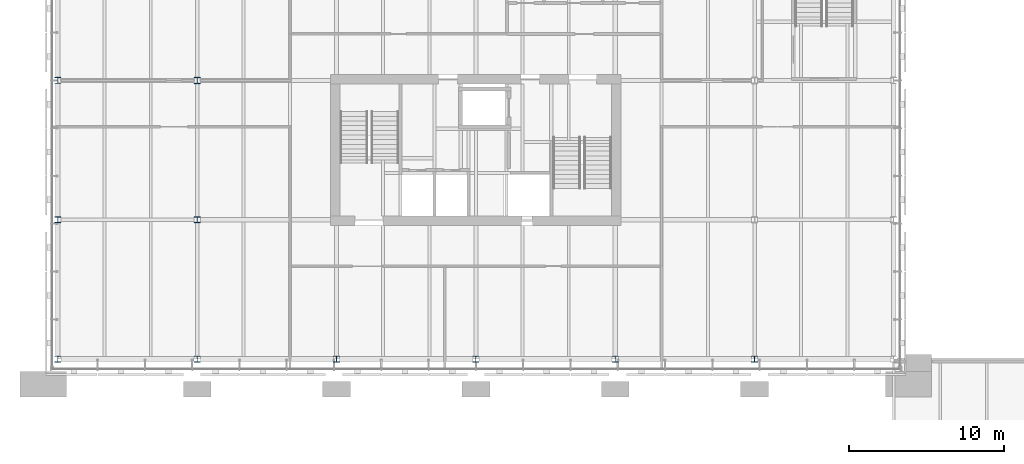
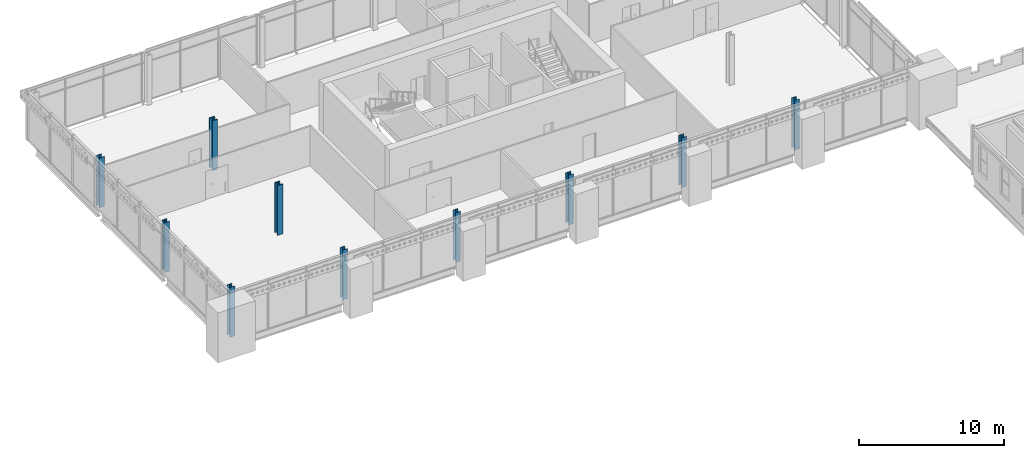
# One storey, part 6 of 123: 10 columns.
"""IFC4 building model written with IfcOpenShell, lengths in metres."""

from ifc_helpers import new_model, si_unit, direction, frame, origin, origin_2d, place, context, subcontext, project, spatial, i_section, extrude, material, material_profile, profile_set, type_object, element, save


model = new_model("IFC4")

# Units and contexts
model_context = context("Model", 3, precision=1e-05, world=origin(), true_north=direction((0.0, 1.0)))
body_context = subcontext(model_context, "Body", "Model", "MODEL_VIEW")
ifc_project = project(units=[si_unit("LENGTHUNIT", "METRE"), si_unit("AREAUNIT", "SQUARE_METRE"), si_unit("VOLUMEUNIT", "CUBIC_METRE"), si_unit("PLANEANGLEUNIT", "RADIAN"), si_unit("MASSUNIT", "GRAM", prefix="KILO")], contexts=[model_context])

# Site, building, storey
site_placement = place(None, origin())
site = spatial("IfcSite", under=ifc_project, at=site_placement, CompositionType="ELEMENT")
building_placement = place(site_placement, origin())
building = spatial("IfcBuilding", under=site, at=building_placement, Name="Baradari Gate Terminus", CompositionType="ELEMENT")
storey_placement = place(building_placement, frame((0.0, 0.0, 7.5)))
storey = spatial("IfcBuildingStorey", under=building, at=storey_placement, Name="L01", CompositionType="ELEMENT", Elevation=7.5)

# Columns
ifc_material_1 = material(Name="Steel S355", Category="steel")
ifc_material_profile_1 = material_profile(ifc_material_1, i_section(OverallWidth=0.412109375, OverallDepth=0.4365234375, WebThickness=0.035888671875, FlangeThickness=0.05810546875, FilletRadius=0.01513671875, at=origin_2d()), Name="UC 356x406x467")
ifc_profile_set_1 = profile_set([ifc_material_profile_1], Name="Steel S355")
column_type_1 = type_object("IfcColumnType", Name="Operations block column C02 UC 356x406x467", PredefinedType="COLUMN", material=ifc_profile_set_1)
for number, where, z_axis, x_axis, name in (
    (1, (18.0, 126.0, 0.0), (0.0, 0.0, 1.0), (1.0, 0.0, 0.0), "C02 column 3-Q L01"),
    (2, (18.0, 135.0, 0.0), (0.0, 0.0, 1.0), (1.0, 0.0, 0.0), "C02 column 3-R L01"),
):
    element("IfcColumn", number, at=place(storey_placement, frame(where, z_axis=z_axis, x_axis=x_axis)), inside=storey, type_object=column_type_1, Name=name, PredefinedType="COLUMN", context=body_context, shape_type="SweptSolid", body=[
        extrude(i_section(OverallWidth=0.412109375, OverallDepth=0.4365234375, WebThickness=0.035888671875, FlangeThickness=0.05810546875, FilletRadius=0.01513671875, at=origin_2d()), origin(), (0.0, 0.0, 1.0), 4.199951171875),
    ])
ifc_material_2 = material(Name="Steel S355", Category="steel")
ifc_material_profile_2 = material_profile(ifc_material_2, i_section(OverallWidth=0.39892578125, OverallDepth=0.3935546875, WebThickness=0.015869140625, FlangeThickness=0.02490234375, FilletRadius=0.01513671875, at=origin_2d()), Name="UC 356x406x287")
ifc_profile_set_2 = profile_set([ifc_material_profile_2], Name="Steel S355")
column_type_2 = type_object("IfcColumnType", Name="Operations block perimeter column C01 UC 356x406x287", PredefinedType="COLUMN", material=ifc_profile_set_2)
for number, where, z_axis, x_axis, name in (
    (3, (9.0, 117.0, 0.0), (0.0, 0.0, 1.0), (1.0, 0.0, 0.0), "C01 column 2-P L01"),
    (4, (9.0, 126.0, 0.0), (0.0, 0.0, 1.0), (1.0, 0.0, 0.0), "C01 column 2-Q L01"),
    (5, (9.0, 135.0, 0.0), (0.0, 0.0, 1.0), (1.0, 0.0, 0.0), "C01 column 2-R L01"),
    (6, (18.0, 117.0, 0.0), (0.0, 0.0, 1.0), (1.0, 0.0, 0.0), "C01 column 3-P L01"),
    (7, (27.0, 117.0, 0.0), (0.0, 0.0, 1.0), (1.0, 0.0, 0.0), "C01 column 4-P L01"),
    (8, (36.0, 117.0, 0.0), (0.0, 0.0, 1.0), (1.0, 0.0, 0.0), "C01 column 5-P L01"),
    (9, (45.0, 117.0, 0.0), (0.0, 0.0, 1.0), (1.0, 0.0, 0.0), "C01 column 6-P L01"),
    (10, (54.0, 117.0, 0.0), (0.0, 0.0, 1.0), (1.0, 0.0, 0.0), "C01 column 7-P L01"),
):
    element("IfcColumn", number, at=place(storey_placement, frame(where, z_axis=z_axis, x_axis=x_axis)), inside=storey, type_object=column_type_2, Name=name, PredefinedType="COLUMN", context=body_context, shape_type="SweptSolid", body=[
        extrude(i_section(OverallWidth=0.39892578125, OverallDepth=0.3935546875, WebThickness=0.015869140625, FlangeThickness=0.02490234375, FilletRadius=0.01513671875, at=origin_2d()), origin(), (0.0, 0.0, 1.0), 4.199951171875),
    ])

save(model, "model.ifc")
